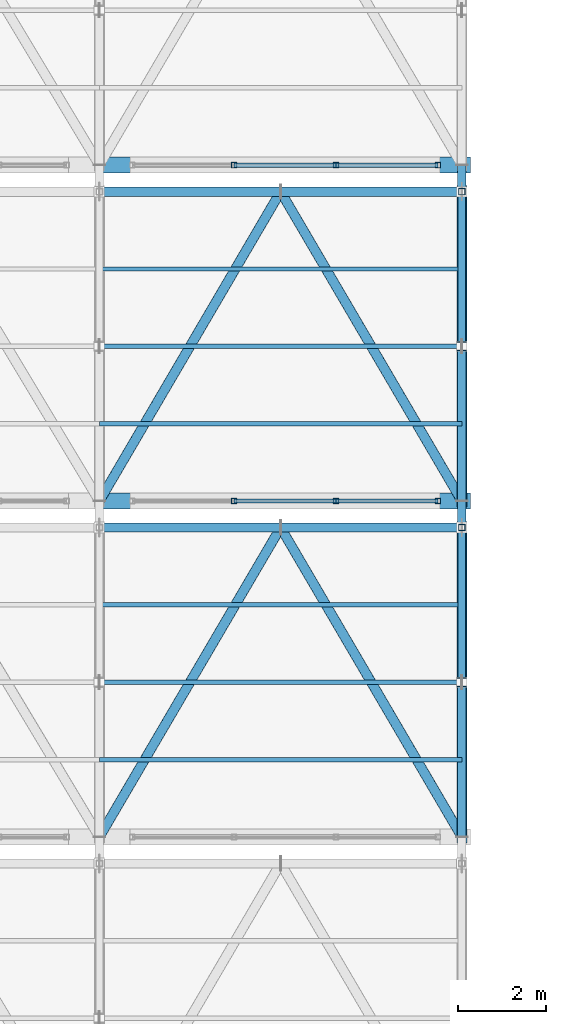
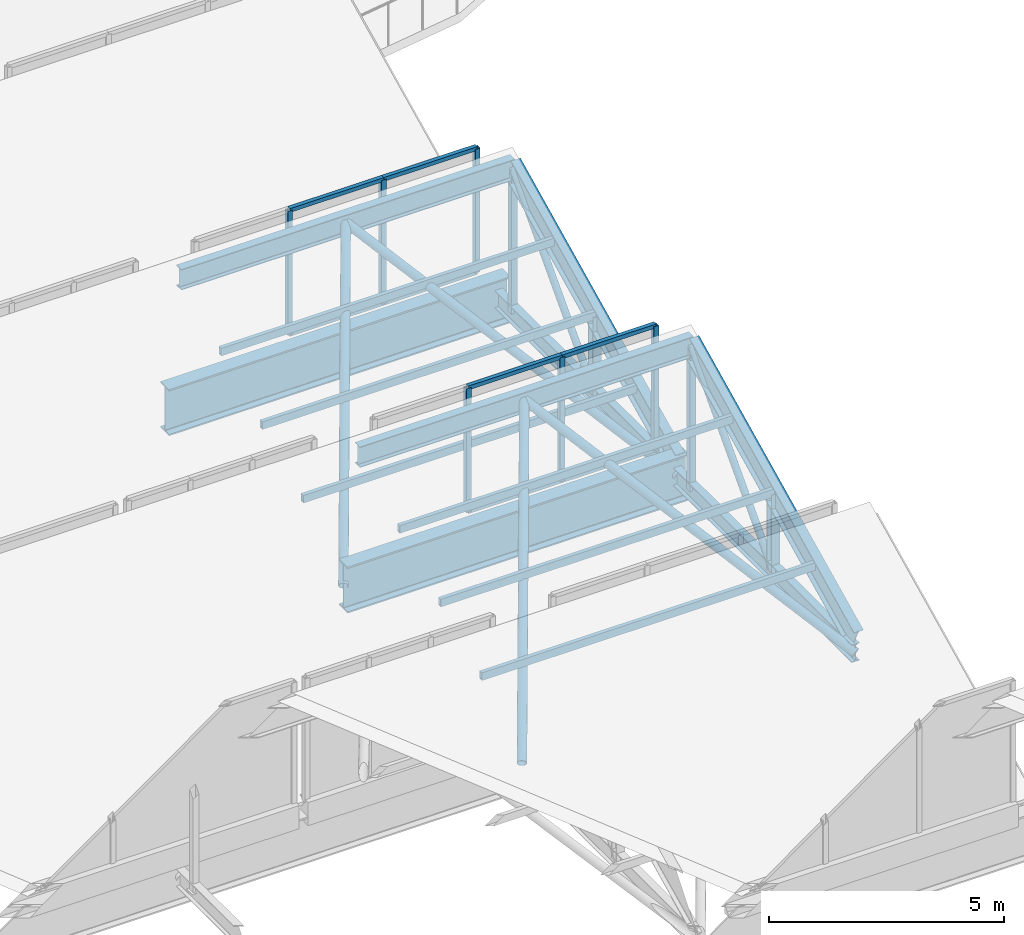
# One storey, part 33 of 57: 36 members, 2 beams, 2 elements without a shape of their own.
"""IFC4 building model written with IfcOpenShell, lengths in metres."""

from ifc_helpers import new_model, si_unit, direction, frame, origin, origin_2d, place, context, subcontext, project, spatial, hollow_rectangle, hollow_circle, i_section, extrude, material, material_profile, profile_set, type_object, element, aggregate, save


model = new_model("IFC4")

# Units and contexts
model_context = context("Model", 3, precision=1e-05, world=origin(), true_north=direction((0.0, 1.0)))
body_context = subcontext(model_context, "Body", "Model", "MODEL_VIEW")
ifc_project = project(units=[si_unit("LENGTHUNIT", "METRE"), si_unit("AREAUNIT", "SQUARE_METRE"), si_unit("VOLUMEUNIT", "CUBIC_METRE"), si_unit("PLANEANGLEUNIT", "RADIAN"), si_unit("MASSUNIT", "GRAM", prefix="KILO")], contexts=[model_context])

# Site, building, storey
site_placement = place(None, origin())
site = spatial("IfcSite", under=ifc_project, at=site_placement, CompositionType="ELEMENT")
building_placement = place(site_placement, origin())
building = spatial("IfcBuilding", under=site, at=building_placement, Name="Zuvorla Pavilion Media Centre", CompositionType="ELEMENT")
storey_placement = place(building_placement, frame((0.0, 0.0, 18.0)))
storey = spatial("IfcBuildingStorey", under=building, at=storey_placement, Name="L04", CompositionType="ELEMENT", Elevation=18.0)

# Beams
ifc_material_1 = material(Name="Steel S355", Category="steel")
ifc_material_profile_1 = material_profile(ifc_material_1, i_section(OverallWidth=0.360107421875, OverallDepth=1.199951171875, WebThickness=0.02001953125, FlangeThickness=0.0380859375, FilletRadius=0.02392578125, at=origin_2d()), Name="PG 1200x360x38")
ifc_profile_set_1 = profile_set([ifc_material_profile_1], Name="Steel S355")
beam_type = type_object("IfcBeamType", Name="BM-PG1200", PredefinedType="BEAM", material=ifc_profile_set_1)
for number, where, z_axis, x_axis, name in (
    (1, (150.800048828125, 28.800048828125, -0.887939453125), (1.0, 0.0, 0.0), (0.0, 1.0, 0.0), "L04 beam B01 1825"),
    (2, (150.800048828125, 36.39990234375, -0.887939453125), (1.0, 0.0, 0.0), (0.0, 1.0, 0.0), "L04 beam B01 1828"),
):
    element("IfcBeam", number, at=place(storey_placement, frame(where, z_axis=z_axis, x_axis=x_axis)), inside=storey, type_object=beam_type, Name=name, PredefinedType="BEAM", context=body_context, shape_type="SweptSolid", body=[
        extrude(i_section(OverallWidth=0.360107421875, OverallDepth=1.199951171875, WebThickness=0.02001953125, FlangeThickness=0.0380859375, FilletRadius=0.02392578125, at=origin_2d()), origin(), (0.0, 0.0, 1.0), 8.39990234375),
    ])

# Curtain wall, members
ifc_material_2 = material(Name="Unitised anodised aluminium and solar glass curtain wall", Category="aluminium")
curtain_wall_type = type_object("IfcCurtainWallType", Name="CW-SYS-92", PredefinedType="USERDEFINED", material=ifc_material_2)
curtain_wall_1_placement = place(storey_placement, origin())
curtain_wall_1 = element("IfcCurtainWall", 3, at=curtain_wall_1_placement, inside=storey, type_object=curtain_wall_type, Name="L04 curtain wall CW92 239", ObjectType="CURTAIN WALL", PredefinedType="USERDEFINED")
ifc_material_3 = material(Name="Anodised aluminium 6063-T6", Category="aluminium")
ifc_material_profile_2 = material_profile(ifc_material_3, hollow_rectangle(XDim=0.1201171875, YDim=0.1201171875, WallThickness=0.0048828125, at=origin_2d()), Name="ALU MULL 120x120")
ifc_profile_set_2 = profile_set([ifc_material_profile_2], Name="Anodised aluminium 6063-T6")
member_type_1 = type_object("IfcMemberType", Name="CW-MULL-120", PredefinedType="MULLION", material=ifc_profile_set_2)
member_1_placement = place(storey_placement, frame((153.84814453125, 28.800048828125, 0.0), z_axis=(0.0, 0.0, 1.0), x_axis=(1.0, 0.0, 0.0)))
member_1 = element("IfcMember", 4, at=member_1_placement, type_object=member_type_1, Name="CW92 mullion 2", PredefinedType="MULLION", context=body_context, shape_type="SweptSolid", body=[
    extrude(hollow_rectangle(XDim=0.1201171875, YDim=0.1201171875, WallThickness=0.0048828125, at=origin_2d()), origin(), (0.0, 0.0, 1.0), 3.219970703125),
])
member_2_placement = place(storey_placement, frame((156.15185546875, 28.800048828125, 0.0), z_axis=(0.0, 0.0, 1.0), x_axis=(1.0, 0.0, 0.0)))
member_2 = element("IfcMember", 5, at=member_2_placement, type_object=member_type_1, Name="CW92 mullion 3", PredefinedType="MULLION", context=body_context, shape_type="SweptSolid", body=[
    extrude(hollow_rectangle(XDim=0.1201171875, YDim=0.1201171875, WallThickness=0.0048828125, at=origin_2d()), origin(), (0.0, 0.0, 1.0), 3.219970703125),
])
member_3_placement = place(storey_placement, frame((158.455810546875, 28.800048828125, 0.0), z_axis=(0.0, 0.0, 1.0), x_axis=(1.0, 0.0, 0.0)))
member_3 = element("IfcMember", 6, at=member_3_placement, type_object=member_type_1, Name="CW92 mullion 4", PredefinedType="MULLION", context=body_context, shape_type="SweptSolid", body=[
    extrude(hollow_rectangle(XDim=0.1201171875, YDim=0.1201171875, WallThickness=0.0048828125, at=origin_2d()), origin(), (0.0, 0.0, 1.0), 3.219970703125),
])

curtain_wall_2_placement = place(storey_placement, origin())
curtain_wall_2 = element("IfcCurtainWall", 7, at=curtain_wall_2_placement, inside=storey, type_object=curtain_wall_type, Name="L04 curtain wall CW92 245", ObjectType="CURTAIN WALL", PredefinedType="USERDEFINED")
member_4_placement = place(storey_placement, frame((153.84814453125, 36.39990234375, 0.0), z_axis=(0.0, 0.0, 1.0), x_axis=(1.0, 0.0, 0.0)))
member_4 = element("IfcMember", 8, at=member_4_placement, type_object=member_type_1, Name="CW92 mullion 2", PredefinedType="MULLION", context=body_context, shape_type="SweptSolid", body=[
    extrude(hollow_rectangle(XDim=0.1201171875, YDim=0.1201171875, WallThickness=0.0048828125, at=origin_2d()), origin(), (0.0, 0.0, 1.0), 3.219970703125),
])
member_5_placement = place(storey_placement, frame((156.15185546875, 36.39990234375, 0.0), z_axis=(0.0, 0.0, 1.0), x_axis=(1.0, 0.0, 0.0)))
member_5 = element("IfcMember", 9, at=member_5_placement, type_object=member_type_1, Name="CW92 mullion 3", PredefinedType="MULLION", context=body_context, shape_type="SweptSolid", body=[
    extrude(hollow_rectangle(XDim=0.1201171875, YDim=0.1201171875, WallThickness=0.0048828125, at=origin_2d()), origin(), (0.0, 0.0, 1.0), 3.219970703125),
])
member_6_placement = place(storey_placement, frame((158.455810546875, 36.39990234375, 0.0), z_axis=(0.0, 0.0, 1.0), x_axis=(1.0, 0.0, 0.0)))
member_6 = element("IfcMember", 10, at=member_6_placement, type_object=member_type_1, Name="CW92 mullion 4", PredefinedType="MULLION", context=body_context, shape_type="SweptSolid", body=[
    extrude(hollow_rectangle(XDim=0.1201171875, YDim=0.1201171875, WallThickness=0.0048828125, at=origin_2d()), origin(), (0.0, 0.0, 1.0), 3.219970703125),
])

# Member
ifc_material_profile_3 = material_profile(ifc_material_3, hollow_rectangle(XDim=0.10009765625, YDim=0.10009765625, WallThickness=0.00439453125, at=origin_2d()), Name="ALU TRAN 100x100")
ifc_profile_set_3 = profile_set([ifc_material_profile_3], Name="Anodised aluminium 6063-T6")
member_type_2 = type_object("IfcMemberType", Name="CW-TRAN-100", PredefinedType="USERDEFINED", material=ifc_profile_set_3)
member_7_placement = place(storey_placement, frame((153.84814453125, 28.800048828125, 0.0), z_axis=(1.0, 0.0, 0.0), x_axis=(0.0, 1.0, 0.0)))
member_7 = element("IfcMember", 11, at=member_7_placement, type_object=member_type_2, Name="CW92 transom 2.1", ObjectType="TRANSOM", PredefinedType="USERDEFINED", context=body_context, shape_type="SweptSolid", body=[
    extrude(hollow_rectangle(XDim=0.10009765625, YDim=0.10009765625, WallThickness=0.00439453125, at=origin_2d()), origin(), (0.0, 0.0, 1.0), 2.3037109375),
])

member_8_placement = place(storey_placement, frame((153.84814453125, 28.800048828125, 3.219970703125), z_axis=(1.0, 0.0, 0.0), x_axis=(0.0, 1.0, 0.0)))
member_8 = element("IfcMember", 12, at=member_8_placement, type_object=member_type_2, Name="CW92 transom 2.2", ObjectType="TRANSOM", PredefinedType="USERDEFINED", context=body_context, shape_type="SweptSolid", body=[
    extrude(hollow_rectangle(XDim=0.10009765625, YDim=0.10009765625, WallThickness=0.00439453125, at=origin_2d()), origin(), (0.0, 0.0, 1.0), 2.3037109375),
])

member_9_placement = place(storey_placement, frame((156.15185546875, 28.800048828125, 0.0), z_axis=(1.0, 0.0, 0.0), x_axis=(0.0, 1.0, 0.0)))
member_9 = element("IfcMember", 13, at=member_9_placement, type_object=member_type_2, Name="CW92 transom 3.1", ObjectType="TRANSOM", PredefinedType="USERDEFINED", context=body_context, shape_type="SweptSolid", body=[
    extrude(hollow_rectangle(XDim=0.10009765625, YDim=0.10009765625, WallThickness=0.00439453125, at=origin_2d()), origin(), (0.0, 0.0, 1.0), 2.303955078125),
])

member_10_placement = place(storey_placement, frame((156.15185546875, 28.800048828125, 3.219970703125), z_axis=(1.0, 0.0, 0.0), x_axis=(0.0, 1.0, 0.0)))
member_10 = element("IfcMember", 14, at=member_10_placement, type_object=member_type_2, Name="CW92 transom 3.2", ObjectType="TRANSOM", PredefinedType="USERDEFINED", context=body_context, shape_type="SweptSolid", body=[
    extrude(hollow_rectangle(XDim=0.10009765625, YDim=0.10009765625, WallThickness=0.00439453125, at=origin_2d()), origin(), (0.0, 0.0, 1.0), 2.303955078125),
])

aggregate(curtain_wall_1, [member_1, member_2, member_3, member_7, member_8, member_9, member_10])

member_11_placement = place(storey_placement, frame((153.84814453125, 36.39990234375, 0.0), z_axis=(1.0, 0.0, 0.0), x_axis=(0.0, 1.0, 0.0)))
member_11 = element("IfcMember", 15, at=member_11_placement, type_object=member_type_2, Name="CW92 transom 2.1", ObjectType="TRANSOM", PredefinedType="USERDEFINED", context=body_context, shape_type="SweptSolid", body=[
    extrude(hollow_rectangle(XDim=0.10009765625, YDim=0.10009765625, WallThickness=0.00439453125, at=origin_2d()), origin(), (0.0, 0.0, 1.0), 2.3037109375),
])

member_12_placement = place(storey_placement, frame((153.84814453125, 36.39990234375, 3.219970703125), z_axis=(1.0, 0.0, 0.0), x_axis=(0.0, 1.0, 0.0)))
member_12 = element("IfcMember", 16, at=member_12_placement, type_object=member_type_2, Name="CW92 transom 2.2", ObjectType="TRANSOM", PredefinedType="USERDEFINED", context=body_context, shape_type="SweptSolid", body=[
    extrude(hollow_rectangle(XDim=0.10009765625, YDim=0.10009765625, WallThickness=0.00439453125, at=origin_2d()), origin(), (0.0, 0.0, 1.0), 2.3037109375),
])

member_13_placement = place(storey_placement, frame((156.15185546875, 36.39990234375, 0.0), z_axis=(1.0, 0.0, 0.0), x_axis=(0.0, 1.0, 0.0)))
member_13 = element("IfcMember", 17, at=member_13_placement, type_object=member_type_2, Name="CW92 transom 3.1", ObjectType="TRANSOM", PredefinedType="USERDEFINED", context=body_context, shape_type="SweptSolid", body=[
    extrude(hollow_rectangle(XDim=0.10009765625, YDim=0.10009765625, WallThickness=0.00439453125, at=origin_2d()), origin(), (0.0, 0.0, 1.0), 2.303955078125),
])

member_14_placement = place(storey_placement, frame((156.15185546875, 36.39990234375, 3.219970703125), z_axis=(1.0, 0.0, 0.0), x_axis=(0.0, 1.0, 0.0)))
member_14 = element("IfcMember", 18, at=member_14_placement, type_object=member_type_2, Name="CW92 transom 3.2", ObjectType="TRANSOM", PredefinedType="USERDEFINED", context=body_context, shape_type="SweptSolid", body=[
    extrude(hollow_rectangle(XDim=0.10009765625, YDim=0.10009765625, WallThickness=0.00439453125, at=origin_2d()), origin(), (0.0, 0.0, 1.0), 2.303955078125),
])

aggregate(curtain_wall_2, [member_4, member_5, member_6, member_11, member_12, member_13, member_14])

# Members
ifc_material_profile_4 = material_profile(ifc_material_1, hollow_circle(Radius=0.084228515625, WallThickness=0.008056640625, at=origin_2d()), Name="CHS 168.3x8")
ifc_profile_set_4 = profile_set([ifc_material_profile_4], Name="Steel S355")
member_type_3 = type_object("IfcMemberType", Name="MEM-BRC-CHS168", PredefinedType="BRACE", material=ifc_profile_set_4)
for number, where, z_axis, x_axis, name in (
    (19, (159.0, 24.699951171875, -0.8798828125), (0.0, 0.681156069412, 0.732138244529), (-1.0, 0.0, 0.0), "L04 diagonal brace TB03 646"),
    (20, (159.0, 32.300048828125, -0.8798828125), (0.0, 0.681156069412, 0.732138244529), (-1.0, 0.0, 0.0), "L04 diagonal brace TB03 706"),
):
    element("IfcMember", number, at=place(storey_placement, frame(where, z_axis=z_axis, x_axis=x_axis)), inside=storey, type_object=member_type_3, Name=name, PredefinedType="BRACE", context=body_context, shape_type="SweptSolid", body=[
        extrude(hollow_circle(Radius=0.084228515625, WallThickness=0.008056640625, at=origin_2d()), origin(), (0.0, 0.0, 1.0), 5.138427734375),
    ])
ifc_material_profile_5 = material_profile(ifc_material_1, hollow_circle(Radius=0.109619140625, WallThickness=0.010009765625, at=origin_2d()), Name="CHS 219.1x10")
ifc_profile_set_5 = profile_set([ifc_material_profile_5], Name="Steel S355")
member_type_4 = type_object("IfcMemberType", Name="MEM-BRC-CHS219", PredefinedType="BRACE", material=ifc_profile_set_5)
for number, where, z_axis, x_axis, name in (
    (21, (150.800048828125, 21.199951171875, -0.8798828125), (0.458488859186, 0.782813825438, 0.420702365938), (-0.862891235801, 0.505389666671, 0.0), "L04 diagonal brace TB02 673"),
    (22, (154.89990234375, 28.199951171875, 2.882080078125), (0.458510421872, -0.782804026194, -0.420697099596), (0.862878111278, 0.505412074526, 0.0), "L04 diagonal brace TB02 674"),
    (23, (150.800048828125, 28.800048828125, -0.8798828125), (0.458488859186, 0.782813825438, 0.420702365938), (-0.862891235801, 0.505389666671, 0.0), "L04 diagonal brace TB02 733"),
    (24, (154.89990234375, 35.800048828125, 2.882080078125), (0.458510421872, -0.782804026194, -0.420697099596), (0.862878111278, 0.505412074526, 0.0), "L04 diagonal brace TB02 734"),
):
    element("IfcMember", number, at=place(storey_placement, frame(where, z_axis=z_axis, x_axis=x_axis)), inside=storey, type_object=member_type_4, Name=name, PredefinedType="BRACE", context=body_context, shape_type="SweptSolid", body=[
        extrude(hollow_circle(Radius=0.109619140625, WallThickness=0.010009765625, at=origin_2d()), origin(), (0.0, 0.0, 1.0), 8.942138671875),
    ])
ifc_material_profile_6 = material_profile(ifc_material_1, i_section(OverallWidth=0.19140625, OverallDepth=0.4599609375, WebThickness=0.010009765625, FlangeThickness=0.01611328125, FilletRadius=0.01025390625, at=origin_2d()), Name="UB 457x191x82")
ifc_profile_set_6 = profile_set([ifc_material_profile_6], Name="Steel S355")
member_type_5 = type_object("IfcMemberType", Name="MEM-CHD-UB457", PredefinedType="CHORD", material=ifc_profile_set_6)
member_15_placement = place(storey_placement, frame((159.0, 21.199951171875, -0.8798828125), z_axis=(0.0, 1.0, 0.0), x_axis=(-1.0, 0.0, 0.0)))
element("IfcMember", 25, at=member_15_placement, inside=storey, type_object=member_type_5, Name="L04 chord TC03 643", PredefinedType="CHORD", context=body_context, shape_type="SweptSolid", body=[
    extrude(i_section(OverallWidth=0.19140625, OverallDepth=0.4599609375, WebThickness=0.010009765625, FlangeThickness=0.01611328125, FilletRadius=0.01025390625, at=origin_2d()), origin(), (0.0, 0.0, 1.0), 7.60009765625),
])
member_16_placement = place(storey_placement, frame((159.0, 28.800048828125, -0.8798828125), z_axis=(0.0, 1.0, 0.0), x_axis=(-1.0, 0.0, 0.0)))
element("IfcMember", 26, at=member_16_placement, inside=storey, type_object=member_type_5, Name="L04 chord TC03 703", PredefinedType="CHORD", context=body_context, shape_type="SweptSolid", body=[
    extrude(i_section(OverallWidth=0.19140625, OverallDepth=0.4599609375, WebThickness=0.010009765625, FlangeThickness=0.01611328125, FilletRadius=0.01025390625, at=origin_2d()), origin(), (0.0, 0.0, 1.0), 7.599853515625),
])
ifc_material_profile_7 = material_profile(ifc_material_1, i_section(OverallWidth=0.2099609375, OverallDepth=0.53662109375, WebThickness=0.0107421875, FlangeThickness=0.017333984375, FilletRadius=0.0126953125, at=origin_2d()), Name="UB 533x210x101")
ifc_profile_set_7 = profile_set([ifc_material_profile_7], Name="Steel S355")
member_type_6 = type_object("IfcMemberType", Name="MEM-CHD-UB533", PredefinedType="CHORD", material=ifc_profile_set_7)
for number, where, z_axis, x_axis, name in (
    (27, (150.800048828125, 28.199951171875, 2.882080078125), (1.0, 0.0, 0.0), (0.0, 1.0, 0.0), "L04 chord TC02 672"),
    (28, (150.800048828125, 35.800048828125, 2.882080078125), (1.0, 0.0, 0.0), (0.0, 1.0, 0.0), "L04 chord TC02 732"),
):
    element("IfcMember", number, at=place(storey_placement, frame(where, z_axis=z_axis, x_axis=x_axis)), inside=storey, type_object=member_type_6, Name=name, PredefinedType="CHORD", context=body_context, shape_type="SweptSolid", body=[
        extrude(i_section(OverallWidth=0.2099609375, OverallDepth=0.53662109375, WebThickness=0.0107421875, FlangeThickness=0.017333984375, FilletRadius=0.0126953125, at=origin_2d()), origin(), (0.0, 0.0, 1.0), 8.199951171875),
    ])
ifc_material_profile_8 = material_profile(ifc_material_1, i_section(OverallWidth=0.22900390625, OverallDepth=0.6123046875, WebThickness=0.011962890625, FlangeThickness=0.01953125, FilletRadius=0.0126953125, at=origin_2d()), Name="UB 610x229x125")
ifc_profile_set_8 = profile_set([ifc_material_profile_8], Name="Steel S355")
member_type_7 = type_object("IfcMemberType", Name="MEM-CHD-UB610", PredefinedType="CHORD", material=ifc_profile_set_8)
for number, where, z_axis, x_axis, name in (
    (29, (159.0, 21.199951171875, -0.517822265625), (0.0, 0.899513090263, 0.436893809117), (-1.0, 0.0, 0.0), "L04 chord TC01 644"),
    (30, (159.0, 28.800048828125, -0.517822265625), (0.0, 0.899513090263, 0.436893809117), (-1.0, 0.0, 0.0), "L04 chord TC01 704"),
):
    element("IfcMember", number, at=place(storey_placement, frame(where, z_axis=z_axis, x_axis=x_axis)), inside=storey, type_object=member_type_7, Name=name, PredefinedType="CHORD", context=body_context, shape_type="SweptSolid", body=[
        extrude(i_section(OverallWidth=0.22900390625, OverallDepth=0.6123046875, WebThickness=0.011962890625, FlangeThickness=0.01953125, FilletRadius=0.0126953125, at=origin_2d()), origin(), (0.0, 0.0, 1.0), 7.781982421875),
    ])
ifc_material_profile_9 = material_profile(ifc_material_1, hollow_rectangle(XDim=0.10009765625, YDim=0.199951171875, WallThickness=0.008056640625, at=origin_2d()), Name="RHS 200x100x8")
ifc_profile_set_9 = profile_set([ifc_material_profile_9], Name="Steel S355")
member_type_8 = type_object("IfcMemberType", Name="MEM-PUR-RHS200", PredefinedType="PURLIN", material=ifc_profile_set_9)
for number, where, z_axis, x_axis, name in (
    (31, (150.800048828125, 22.949951171875, 0.33203125), (1.0, 0.0, 0.0), (0.0, 1.0, 0.0), "L04 purlin PR01 675"),
    (32, (150.800048828125, 24.699951171875, 1.18212890625), (1.0, 0.0, 0.0), (0.0, 1.0, 0.0), "L04 purlin PR01 676"),
    (33, (150.800048828125, 26.449951171875, 2.031982421875), (1.0, 0.0, 0.0), (0.0, 1.0, 0.0), "L04 purlin PR01 677"),
    (34, (150.800048828125, 30.550048828125, 0.33203125), (1.0, 0.0, 0.0), (0.0, 1.0, 0.0), "L04 purlin PR01 735"),
    (35, (150.800048828125, 32.300048828125, 1.18212890625), (1.0, 0.0, 0.0), (0.0, 1.0, 0.0), "L04 purlin PR01 736"),
    (36, (150.800048828125, 34.050048828125, 2.031982421875), (1.0, 0.0, 0.0), (0.0, 1.0, 0.0), "L04 purlin PR01 737"),
):
    element("IfcMember", number, at=place(storey_placement, frame(where, z_axis=z_axis, x_axis=x_axis)), inside=storey, type_object=member_type_8, Name=name, PredefinedType="PURLIN", context=body_context, shape_type="SweptSolid", body=[
        extrude(hollow_rectangle(XDim=0.10009765625, YDim=0.199951171875, WallThickness=0.008056640625, at=origin_2d()), origin(), (0.0, 0.0, 1.0), 8.199951171875),
    ])
ifc_material_profile_10 = material_profile(ifc_material_1, hollow_rectangle(XDim=0.14990234375, YDim=0.14990234375, WallThickness=0.008056640625, at=origin_2d()), Name="SHS 150x150x8")
ifc_profile_set_10 = profile_set([ifc_material_profile_10], Name="Steel S355")
member_type_9 = type_object("IfcMemberType", Name="MEM-STR-SHS150", PredefinedType="STRUT", material=ifc_profile_set_10)
for number, where, z_axis, x_axis, name in (
    (37, (159.0, 28.199951171875, -0.8798828125), (0.0, 0.0, 1.0), (1.0, 0.0, 0.0), "L04 vertical strut TS01 645"),
    (38, (159.0, 35.800048828125, -0.8798828125), (0.0, 0.0, 1.0), (1.0, 0.0, 0.0), "L04 vertical strut TS01 705"),
):
    element("IfcMember", number, at=place(storey_placement, frame(where, z_axis=z_axis, x_axis=x_axis)), inside=storey, type_object=member_type_9, Name=name, PredefinedType="STRUT", context=body_context, shape_type="SweptSolid", body=[
        extrude(hollow_rectangle(XDim=0.14990234375, YDim=0.14990234375, WallThickness=0.008056640625, at=origin_2d()), origin(), (0.0, 0.0, 1.0), 3.761962890625),
    ])
ifc_material_profile_11 = material_profile(ifc_material_1, i_section(OverallWidth=0.205810546875, OverallDepth=0.209716796875, WebThickness=0.009521484375, FlangeThickness=0.01416015625, FilletRadius=0.01025390625, at=origin_2d()), Name="UC 203x203x60")
ifc_profile_set_11 = profile_set([ifc_material_profile_11], Name="Steel S355")
member_type_10 = type_object("IfcMemberType", Name="MEM-STR-UC203", PredefinedType="STRUT", material=ifc_profile_set_11)
for number, where, z_axis, x_axis, name in (
    (39, (159.0, 24.699951171875, -0.8798828125), (0.0, 0.0, 1.0), (1.0, 0.0, 0.0), "L04 vertical strut TS02 647"),
    (40, (159.0, 32.300048828125, -0.8798828125), (0.0, 0.0, 1.0), (1.0, 0.0, 0.0), "L04 vertical strut TS02 707"),
):
    element("IfcMember", number, at=place(storey_placement, frame(where, z_axis=z_axis, x_axis=x_axis)), inside=storey, type_object=member_type_10, Name=name, PredefinedType="STRUT", context=body_context, shape_type="SweptSolid", body=[
        extrude(i_section(OverallWidth=0.205810546875, OverallDepth=0.209716796875, WebThickness=0.009521484375, FlangeThickness=0.01416015625, FilletRadius=0.01025390625, at=origin_2d()), origin(), (0.0, 0.0, 1.0), 2.06201171875),
    ])

save(model, "model.ifc")
